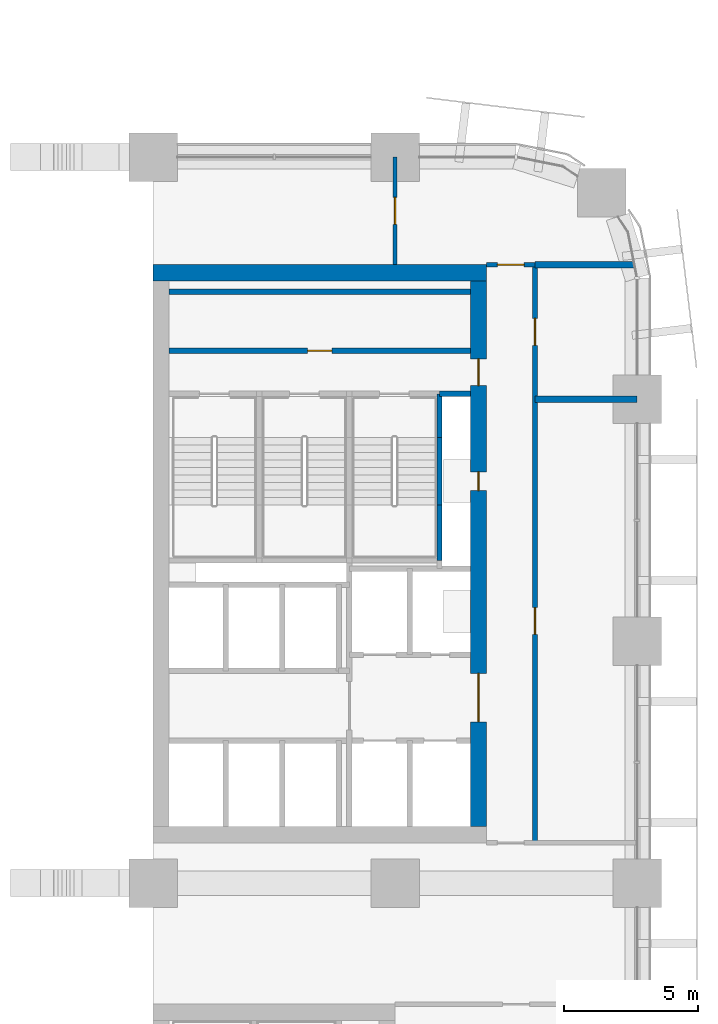
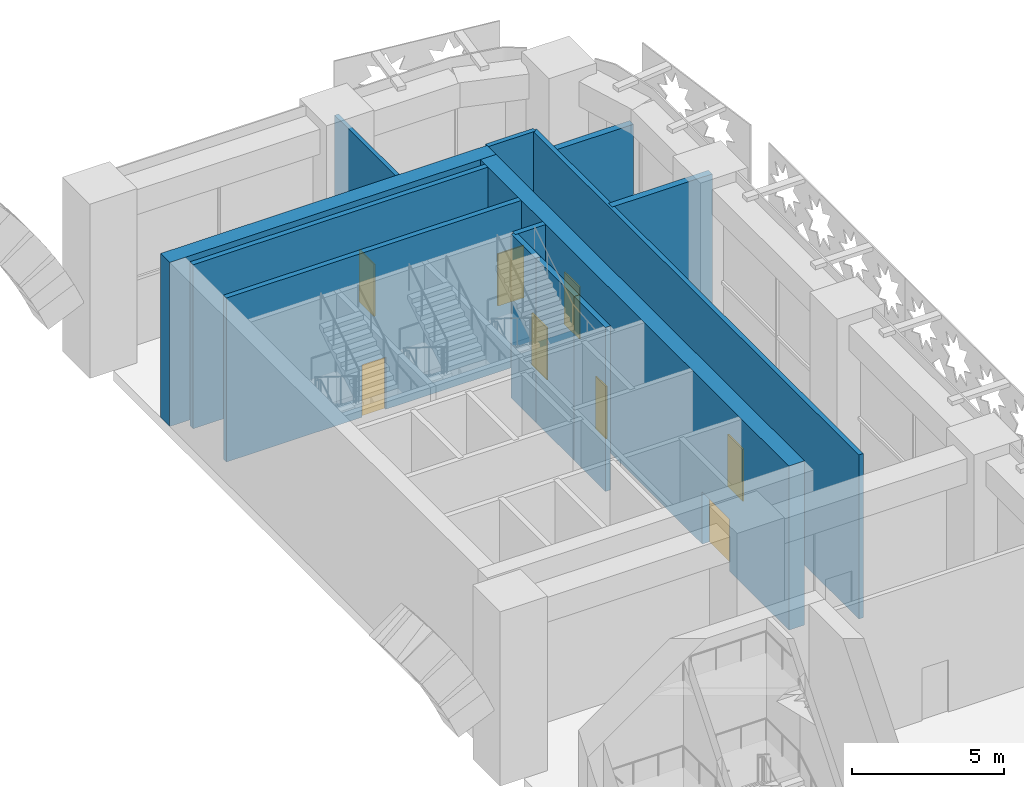
# One storey, part 23 of 42: 13 walls, 8 doors, 8 openings.
"""IFC4 building model written with IfcOpenShell, lengths in metres."""

from ifc_helpers import new_model, si_unit, direction, frame, frame_2d, origin, place, context, subcontext, project, spatial, rectangle, extrude, material, layer, layer_set, type_object, element, fill, save


model = new_model("IFC4")

# Units and contexts
model_context = context("Model", 3, precision=1e-05, world=origin(), true_north=direction((0.0, 1.0)))
body_context = subcontext(model_context, "Body", "Model", "MODEL_VIEW")
ifc_project = project(units=[si_unit("LENGTHUNIT", "METRE"), si_unit("AREAUNIT", "SQUARE_METRE"), si_unit("VOLUMEUNIT", "CUBIC_METRE"), si_unit("PLANEANGLEUNIT", "RADIAN"), si_unit("MASSUNIT", "GRAM", prefix="KILO")], contexts=[model_context])

# Site, building, storey
site_placement = place(None, origin())
site = spatial("IfcSite", under=ifc_project, at=site_placement, CompositionType="ELEMENT")
building_placement = place(site_placement, origin())
building = spatial("IfcBuilding", under=site, at=building_placement, Name="Tessera Arch", CompositionType="ELEMENT")
storey_placement = place(building_placement, frame((0.0, 0.0, 14.0)))
storey = spatial("IfcBuildingStorey", under=building, at=storey_placement, Name="L02", CompositionType="ELEMENT", Elevation=14.0)

# Wall, opening, door
ifc_material_1 = material(Name="Gypsum board on steel stud", Category="steel")
ifc_layer_1 = layer(ifc_material_1, 0.125)
ifc_layer_set_1 = layer_set([ifc_layer_1], Name="Core partition 125 EI 60")
wall_type_1 = type_object("IfcWallType", Name="Core partition 125 EI 60", PredefinedType="PARTITIONING", material=ifc_layer_set_1)
wall_1_placement = place(storey_placement, frame((36.60009765625, 46.800048828125, 0.0), z_axis=(0.0, 0.0, 1.0), x_axis=(1.0, 0.0, 0.0)))
wall_1 = element("IfcWall", 1, at=wall_1_placement, inside=storey, type_object=wall_type_1, Name="L02 C1 partition wall 37", PredefinedType="PARTITIONING", context=body_context, shape_type="SweptSolid", body=[
    extrude(rectangle(XDim=11.199951171875, YDim=0.199951171875, at=frame_2d((5.60009765625, 0.0))), origin(), (0.0, 0.0, 1.0), 6.590087890625),
])
opening_1_placement = place(wall_1_placement, frame((5.14990234375, 0.0, 0.0)))
opening_1 = element("IfcOpeningElement", 2, at=opening_1_placement, cuts=wall_1, Name="Opening L02-C12", PredefinedType="OPENING", context=body_context, shape_type="SweptSolid", body=[
    extrude(rectangle(XDim=0.89990234375, YDim=2.10009765625, at=frame_2d((0.449951171875, 1.050048828125))), frame((0.0, 0.10986328125, 0.0), z_axis=(0.0, -1.0, 0.0), x_axis=(1.0, 0.0, 0.0)), (0.0, 0.0, 1.0), 0.219970703125),
])
ifc_material_2 = material(Name="Steel door leaf", Category="steel")
door_type_1 = type_object("IfcDoorType", Name="Store door FD30S 900 x 2100", OperationType="SINGLE_SWING_LEFT", PredefinedType="DOOR", material=ifc_material_2)
door_1_placement = place(opening_1_placement, origin())
door_1 = element("IfcDoor", 3, at=door_1_placement, inside=storey, type_object=door_type_1, Name="L02 C1 door 12 C12 type D09", OperationType="SINGLE_SWING_RIGHT", OverallHeight=2.10009765625, OverallWidth=0.89990234375, PredefinedType="DOOR", context=body_context, shape_type="SweptSolid", body=[
    extrude(rectangle(XDim=0.89990234375, YDim=2.10009765625, at=frame_2d((0.449951171875, 1.050048828125))), frame((0.0, 0.02490234375, 0.0), z_axis=(0.0, -1.0, 0.0), x_axis=(1.0, 0.0, 0.0)), (0.0, 0.0, 1.0), 0.050048828125),
])
fill(opening_1, door_1)

# Walls
wall_2_placement = place(storey_placement, frame((36.60009765625, 49.0, 0.0), z_axis=(0.0, 0.0, 1.0), x_axis=(1.0, 0.0, 0.0)))
element("IfcWall", 4, at=wall_2_placement, inside=storey, type_object=wall_type_1, Name="L02 C1 partition wall 38", PredefinedType="PARTITIONING", context=body_context, shape_type="SweptSolid", body=[
    extrude(rectangle(XDim=11.199951171875, YDim=0.199951171875, at=frame_2d((5.60009765625, 0.0))), origin(), (0.0, 0.0, 1.0), 6.590087890625),
])
ifc_material_3 = material(Name="Concrete C70/85", Category="concrete")
ifc_layer_2 = layer(ifc_material_3, 0.60009765625)
ifc_layer_set_2 = layer_set([ifc_layer_2], Name="Core shell wall 600 C70-85")
wall_type_2 = type_object("IfcWallType", Name="Core shell wall 600 C70-85", PredefinedType="SHEAR", material=ifc_layer_set_2)
wall_3_placement = place(storey_placement, frame((36.0, 49.699951171875, 0.0), z_axis=(0.0, 0.0, 1.0), x_axis=(1.0, 0.0, 0.0)))
element("IfcWall", 5, at=wall_3_placement, inside=storey, type_object=wall_type_2, Name="L02 C1 core wall N", PredefinedType="SHEAR", context=body_context, shape_type="SweptSolid", body=[
    extrude(rectangle(XDim=12.39990234375, YDim=0.60009765625, at=frame_2d((6.199951171875, 0.0))), origin(), (0.0, 0.0, 1.0), 6.590087890625),
])

# Wall, openings, doors
wall_4_placement = place(storey_placement, frame((48.10009765625, 29.10009765625, 0.0), z_axis=(0.0, 0.0, 1.0), x_axis=(0.0, 1.0, 0.0)))
wall_4 = element("IfcWall", 6, at=wall_4_placement, inside=storey, type_object=wall_type_2, Name="L02 C1 core wall E", PredefinedType="SHEAR", context=body_context, shape_type="SweptSolid", body=[
    extrude(rectangle(XDim=20.2998046875, YDim=0.60009765625, at=frame_2d((10.14990234375, 0.0))), origin(), (0.0, 0.0, 1.0), 6.590087890625),
])
opening_2_placement = place(wall_4_placement, frame((12.5, 0.0, 0.0)))
opening_2 = element("IfcOpeningElement", 7, at=opening_2_placement, cuts=wall_4, Name="Opening L02-C08", PredefinedType="OPENING", context=body_context, shape_type="SweptSolid", body=[
    extrude(rectangle(XDim=0.699951171875, YDim=2.10009765625, at=frame_2d((0.35009765625, 1.050048828125))), frame((0.0, 0.31005859375, 0.0), z_axis=(0.0, -1.0, 0.0), x_axis=(1.0, 0.0, 0.0)), (0.0, 0.0, 1.0), 0.6201171875),
])
opening_3_placement = place(wall_4_placement, frame((3.89990234375, 0.0, 0.0)))
opening_3 = element("IfcOpeningElement", 8, at=opening_3_placement, cuts=wall_4, Name="Opening L02-C09", PredefinedType="OPENING", context=body_context, shape_type="SweptSolid", body=[
    extrude(rectangle(XDim=1.800048828125, YDim=2.10009765625, at=frame_2d((0.89990234375, 1.050048828125))), frame((0.0, 0.31005859375, 0.0), z_axis=(0.0, -1.0, 0.0), x_axis=(1.0, 0.0, 0.0)), (0.0, 0.0, 1.0), 0.6201171875),
])
opening_4_placement = place(wall_4_placement, frame((16.39990234375, 0.0, 0.0)))
opening_4 = element("IfcOpeningElement", 9, at=opening_4_placement, cuts=wall_4, Name="Opening L02-C11", PredefinedType="OPENING", context=body_context, shape_type="SweptSolid", body=[
    extrude(rectangle(XDim=1.0, YDim=2.10009765625, at=frame_2d((0.5, 1.050048828125))), frame((0.0, 0.31005859375, 0.0), z_axis=(0.0, -1.0, 0.0), x_axis=(1.0, 0.0, 0.0)), (0.0, 0.0, 1.0), 0.6201171875),
])
ifc_material_4 = material(Name="Steel door leaf", Category="steel")
door_type_2 = type_object("IfcDoorType", Name="Corridor door FD60 1000 x 2100", OperationType="SINGLE_SWING_LEFT", PredefinedType="DOOR", material=ifc_material_4)
door_2_placement = place(opening_4_placement, origin())
door_2 = element("IfcDoor", 10, at=door_2_placement, inside=storey, type_object=door_type_2, Name="L02 C1 door 11 C11 type D12", OperationType="SINGLE_SWING_RIGHT", OverallHeight=2.10009765625, OverallWidth=1.0, PredefinedType="DOOR", context=body_context, shape_type="SweptSolid", body=[
    extrude(rectangle(XDim=1.0, YDim=2.10009765625, at=frame_2d((0.5, 1.050048828125))), frame((0.0, 0.02490234375, 0.0), z_axis=(0.0, -1.0, 0.0), x_axis=(1.0, 0.0, 0.0)), (0.0, 0.0, 1.0), 0.050048828125),
])
fill(opening_4, door_2)
ifc_material_5 = material(Name="Glazed steel door leaf", Category="steel")
door_type_3 = type_object("IfcDoorType", Name="Lobby double door FD60 1800 x 2100", OperationType="DOUBLE_DOOR_SINGLE_SWING", PredefinedType="DOOR", material=ifc_material_5)
door_3_placement = place(opening_3_placement, origin())
door_3 = element("IfcDoor", 11, at=door_3_placement, inside=storey, type_object=door_type_3, Name="L02 C1 door 9 C09 type D19", OperationType="DOUBLE_DOOR_SINGLE_SWING", OverallHeight=2.10009765625, OverallWidth=1.800048828125, PredefinedType="DOOR", context=body_context, shape_type="SweptSolid", body=[
    extrude(rectangle(XDim=1.800048828125, YDim=2.10009765625, at=frame_2d((0.89990234375, 1.050048828125))), frame((0.0, 0.02490234375, 0.0), z_axis=(0.0, -1.0, 0.0), x_axis=(1.0, 0.0, 0.0)), (0.0, 0.0, 1.0), 0.050048828125),
])
fill(opening_3, door_3)
ifc_material_6 = material(Name="Steel door leaf", Category="steel")
door_type_4 = type_object("IfcDoorType", Name="Service shaft door FD60 700 x 2100", OperationType="SINGLE_SWING_LEFT", PredefinedType="DOOR", material=ifc_material_6)
door_4_placement = place(opening_2_placement, origin())
door_4 = element("IfcDoor", 12, at=door_4_placement, inside=storey, type_object=door_type_4, Name="L02 C1 door 8 C08 type D07", OperationType="SINGLE_SWING_RIGHT", OverallHeight=2.10009765625, OverallWidth=0.699951171875, PredefinedType="DOOR", context=body_context, shape_type="SweptSolid", body=[
    extrude(rectangle(XDim=0.699951171875, YDim=2.10009765625, at=frame_2d((0.35009765625, 1.050048828125))), frame((0.0, 0.02490234375, 0.0), z_axis=(0.0, -1.0, 0.0), x_axis=(1.0, 0.0, 0.0)), (0.0, 0.0, 1.0), 0.050048828125),
])
fill(opening_2, door_4)

# Wall, opening, door
ifc_material_7 = material(Name="Gypsum board on deep steel stud with mineral wool", Category="steel")
ifc_layer_3 = layer(ifc_material_7, 0.175048828125)
ifc_layer_set_3 = layer_set([ifc_layer_3], Name="Corridor wall 175 EI 60")
wall_type_3 = type_object("IfcWallType", Name="Corridor wall 175 EI 60", PredefinedType="PARTITIONING", material=ifc_layer_set_3)
wall_5_placement = place(storey_placement, frame((48.39990234375, 50.0, 0.0), z_axis=(0.0, 0.0, 1.0), x_axis=(1.0, 0.0, 0.0)))
wall_5 = element("IfcWall", 13, at=wall_5_placement, inside=storey, type_object=wall_type_3, Name="L02 partition 9", PredefinedType="PARTITIONING", context=body_context, shape_type="SweptSolid", body=[
    extrude(rectangle(XDim=1.800048828125, YDim=0.175048828125, at=frame_2d((0.89990234375, 0.0))), origin(), (0.0, 0.0, 1.0), 6.590087890625),
])
opening_5_placement = place(wall_5_placement, frame((0.39990234375, 0.0, 0.0)))
opening_5 = element("IfcOpeningElement", 14, at=opening_5_placement, cuts=wall_5, Name="Opening L02-D015", PredefinedType="OPENING", context=body_context, shape_type="SweptSolid", body=[
    extrude(rectangle(XDim=1.0, YDim=2.10009765625, at=frame_2d((0.5, 1.050048828125))), frame((0.0, 0.097412109375, 0.0), z_axis=(0.0, -1.0, 0.0), x_axis=(1.0, 0.0, 0.0)), (0.0, 0.0, 1.0), 0.195068359375),
])
ifc_material_8 = material(Name="Fire-rated door leaf")
door_type_5 = type_object("IfcDoorType", Name="Entrance door FD30S 1000 x 2100", OperationType="SINGLE_SWING_LEFT", PredefinedType="DOOR", material=ifc_material_8)
door_5_placement = place(opening_5_placement, origin())
door_5 = element("IfcDoor", 15, at=door_5_placement, inside=storey, type_object=door_type_5, Name="L02 door D015 type D03", OperationType="SINGLE_SWING_RIGHT", OverallHeight=2.10009765625, OverallWidth=1.0, PredefinedType="DOOR", context=body_context, shape_type="SweptSolid", body=[
    extrude(rectangle(XDim=1.0, YDim=2.10009765625, at=frame_2d((0.5, 1.050048828125))), frame((0.0, 0.02490234375, 0.0), z_axis=(0.0, -1.0, 0.0), x_axis=(1.0, 0.0, 0.0)), (0.0, 0.0, 1.0), 0.050048828125),
])
fill(opening_5, door_5)

# Wall, openings, doors
wall_6_placement = place(storey_placement, frame((50.199951171875, 28.5, 0.0), z_axis=(0.0, 0.0, 1.0), x_axis=(0.0, 1.0, 0.0)))
wall_6 = element("IfcWall", 16, at=wall_6_placement, inside=storey, type_object=wall_type_3, Name="L02 partition 15", PredefinedType="PARTITIONING", context=body_context, shape_type="SweptSolid", body=[
    extrude(rectangle(XDim=21.5, YDim=0.175048828125, at=frame_2d((10.75, 0.0))), origin(), (0.0, 0.0, 1.0), 6.590087890625),
])
opening_6_placement = place(wall_6_placement, frame((18.5, 0.0, 0.0)))
opening_6 = element("IfcOpeningElement", 17, at=opening_6_placement, cuts=wall_6, Name="Opening L02-D016", PredefinedType="OPENING", context=body_context, shape_type="SweptSolid", body=[
    extrude(rectangle(XDim=1.0, YDim=2.10009765625, at=frame_2d((0.5, 1.050048828125))), frame((0.0, 0.097412109375, 0.0), z_axis=(0.0, -1.0, 0.0), x_axis=(1.0, 0.0, 0.0)), (0.0, 0.0, 1.0), 0.195068359375),
])
opening_7_placement = place(wall_6_placement, frame((7.75, 0.0, 0.0)))
opening_7 = element("IfcOpeningElement", 18, at=opening_7_placement, cuts=wall_6, Name="Opening L02-D023", PredefinedType="OPENING", context=body_context, shape_type="SweptSolid", body=[
    extrude(rectangle(XDim=1.0, YDim=2.10009765625, at=frame_2d((0.5, 1.050048828125))), frame((0.0, 0.097412109375, 0.0), z_axis=(0.0, -1.0, 0.0), x_axis=(1.0, 0.0, 0.0)), (0.0, 0.0, 1.0), 0.195068359375),
])
door_6_placement = place(opening_6_placement, origin())
door_6 = element("IfcDoor", 19, at=door_6_placement, inside=storey, type_object=door_type_5, Name="L02 door D016 type D03", OperationType="SINGLE_SWING_LEFT", OverallHeight=2.10009765625, OverallWidth=1.0, PredefinedType="DOOR", context=body_context, shape_type="SweptSolid", body=[
    extrude(rectangle(XDim=1.0, YDim=2.10009765625, at=frame_2d((0.5, 1.050048828125))), frame((0.0, 0.02490234375, 0.0), z_axis=(0.0, -1.0, 0.0), x_axis=(1.0, 0.0, 0.0)), (0.0, 0.0, 1.0), 0.050048828125),
])
fill(opening_6, door_6)
ifc_material_9 = material(Name="Fire-rated door leaf")
door_type_6 = type_object("IfcDoorType", Name="Entrance door FD60 1000 x 2100", OperationType="SINGLE_SWING_LEFT", PredefinedType="DOOR", material=ifc_material_9)
door_7_placement = place(opening_7_placement, origin())
door_7 = element("IfcDoor", 20, at=door_7_placement, inside=storey, type_object=door_type_6, Name="L02 door D023 type D16", OperationType="SINGLE_SWING_LEFT", OverallHeight=2.10009765625, OverallWidth=1.0, PredefinedType="DOOR", context=body_context, shape_type="SweptSolid", body=[
    extrude(rectangle(XDim=1.0, YDim=2.10009765625, at=frame_2d((0.5, 1.050048828125))), frame((0.0, 0.02490234375, 0.0), z_axis=(0.0, -1.0, 0.0), x_axis=(1.0, 0.0, 0.0)), (0.0, 0.0, 1.0), 0.050048828125),
])
fill(opening_7, door_7)

# Wall, opening, door
ifc_material_10 = material(Name="Gypsum board on steel stud", Category="steel")
ifc_layer_4 = layer(ifc_material_10, 0.14990234375)
ifc_layer_set_4 = layer_set([ifc_layer_4], Name="Partition 150 EI 30")
wall_type_4 = type_object("IfcWallType", Name="Partition 150 EI 30", PredefinedType="PARTITIONING", material=ifc_layer_set_4)
wall_7_placement = place(storey_placement, frame((45.0, 50.0, 0.0), z_axis=(0.0, 0.0, 1.0), x_axis=(0.0, 1.0, 0.0)))
wall_7 = element("IfcWall", 21, at=wall_7_placement, inside=storey, type_object=wall_type_4, Name="L02 partition 29", PredefinedType="PARTITIONING", context=body_context, shape_type="SweptSolid", body=[
    extrude(rectangle(XDim=4.0, YDim=0.14990234375, at=frame_2d((2.0, 0.0))), origin(), (0.0, 0.0, 1.0), 6.590087890625),
])
opening_8_placement = place(wall_7_placement, frame((1.5, 0.0, 0.0)))
opening_8 = element("IfcOpeningElement", 22, at=opening_8_placement, cuts=wall_7, Name="Opening L02-D024", PredefinedType="OPENING", context=body_context, shape_type="SweptSolid", body=[
    extrude(rectangle(XDim=1.0, YDim=2.10009765625, at=frame_2d((0.5, 1.050048828125))), frame((0.0, 0.0849609375, 0.0), z_axis=(0.0, -1.0, 0.0), x_axis=(1.0, 0.0, 0.0)), (0.0, 0.0, 1.0), 0.169921875),
])
door_8_placement = place(opening_8_placement, origin())
door_8 = element("IfcDoor", 23, at=door_8_placement, inside=storey, type_object=door_type_5, Name="L02 door D024 type D03", OperationType="SINGLE_SWING_RIGHT", OverallHeight=2.10009765625, OverallWidth=1.0, PredefinedType="DOOR", context=body_context, shape_type="SweptSolid", body=[
    extrude(rectangle(XDim=1.0, YDim=2.10009765625, at=frame_2d((0.5, 1.050048828125))), frame((0.0, 0.02490234375, 0.0), z_axis=(0.0, -1.0, 0.0), x_axis=(1.0, 0.0, 0.0)), (0.0, 0.0, 1.0), 0.050048828125),
])
fill(opening_8, door_8)

# Walls
ifc_material_11 = material(Name="Double gypsum board on twin steel stud with acoustic mineral wool", Category="steel")
ifc_layer_5 = layer(ifc_material_11, 0.25)
ifc_layer_set_5 = layer_set([ifc_layer_5], Name="Party wall 250 EI 60")
wall_type_5 = type_object("IfcWallType", Name="Party wall 250 EI 60", PredefinedType="PARTITIONING", material=ifc_layer_set_5)
wall_8_placement = place(storey_placement, frame((50.199951171875, 45.0, 0.0), z_axis=(0.0, 0.0, 1.0), x_axis=(1.0, 0.0, 0.0)))
element("IfcWall", 24, at=wall_8_placement, inside=storey, type_object=wall_type_5, Name="L02 partition 31", PredefinedType="PARTITIONING", context=body_context, shape_type="SweptSolid", body=[
    extrude(rectangle(XDim=3.800048828125, YDim=0.25, at=frame_2d((1.89990234375, 0.0))), origin(), (0.0, 0.0, 1.0), 6.590087890625),
])
wall_9_placement = place(storey_placement, frame((50.199951171875, 50.0, 0.0), z_axis=(0.0, 0.0, 1.0), x_axis=(1.0, 0.0, 0.0)))
element("IfcWall", 25, at=wall_9_placement, inside=storey, type_object=wall_type_5, Name="L02 partition 32", PredefinedType="PARTITIONING", context=body_context, shape_type="SweptSolid", body=[
    extrude(rectangle(XDim=3.700439453125, YDim=0.25, at=frame_2d((1.85009765625, 0.0))), origin(), (0.0, 0.0, 1.0), 5.590087890625),
])
ifc_material_12 = material(Name="Concrete C40/50", Category="concrete")
ifc_layer_6 = layer(ifc_material_12, 0.199951171875)
ifc_layer_set_6 = layer_set([ifc_layer_6], Name="Shaft wall 200 EI 120")
wall_type_6 = type_object("IfcWallType", Name="Shaft wall 200 EI 120", PredefinedType="SOLIDWALL", material=ifc_layer_set_6)
wall_10_placement = place(storey_placement, frame((46.64990234375, 45.199951171875, 0.0), z_axis=(0.0, 0.0, 1.0), x_axis=(1.0, 0.0, 0.0)))
element("IfcWall", 26, at=wall_10_placement, inside=storey, type_object=wall_type_6, Name="L02 C1 shaft wall 31", PredefinedType="SOLIDWALL", context=body_context, shape_type="SweptSolid", body=[
    extrude(rectangle(XDim=1.150146484375, YDim=0.199951171875, at=frame_2d((0.5751953125, 0.0))), origin(), (0.0, 0.0, 1.0), 6.590087890625),
])
ifc_material_13 = material(Name="Concrete C40/50", Category="concrete")
ifc_layer_7 = layer(ifc_material_13, 0.199951171875)
ifc_layer_set_7 = layer_set([ifc_layer_7], Name="Stair well wall 200 REI 180")
wall_type_7 = type_object("IfcWallType", Name="Stair well wall 200 REI 180", PredefinedType="SOLIDWALL", material=ifc_layer_set_7)
wall_11_placement = place(storey_placement, frame((46.64990234375, 39.0, 0.0), z_axis=(0.0, 0.0, 1.0), x_axis=(0.0, 1.0, 0.0)))
element("IfcWall", 27, at=wall_11_placement, inside=storey, type_object=wall_type_7, Name="L02 C1 shaft wall 17", PredefinedType="SOLIDWALL", context=body_context, shape_type="SweptSolid", body=[
    extrude(rectangle(XDim=2.06005859375, YDim=0.199951171875, at=frame_2d((1.030029296875, 0.0))), origin(), (0.0, 0.0, 1.0), 6.590087890625),
])
wall_12_placement = place(storey_placement, frame((46.64990234375, 41.06005859375, 0.0), z_axis=(0.0, 0.0, 1.0), x_axis=(0.0, 1.0, 0.0)))
element("IfcWall", 28, at=wall_12_placement, inside=storey, type_object=wall_type_7, Name="L02 C1 shaft wall 18", PredefinedType="SOLIDWALL", context=body_context, shape_type="SweptSolid", body=[
    extrude(rectangle(XDim=2.52001953125, YDim=0.199951171875, at=frame_2d((1.260009765625, 0.0))), origin(), (0.0, 0.0, 1.0), 6.590087890625),
])
wall_13_placement = place(storey_placement, frame((46.64990234375, 43.580078125, 0.0), z_axis=(0.0, 0.0, 1.0), x_axis=(0.0, 1.0, 0.0)))
element("IfcWall", 29, at=wall_13_placement, inside=storey, type_object=wall_type_7, Name="L02 C1 shaft wall 19", PredefinedType="SOLIDWALL", context=body_context, shape_type="SweptSolid", body=[
    extrude(rectangle(XDim=1.619873046875, YDim=0.199951171875, at=frame_2d((0.81005859375, 0.0))), origin(), (0.0, 0.0, 1.0), 6.590087890625),
])

save(model, "model.ifc")
